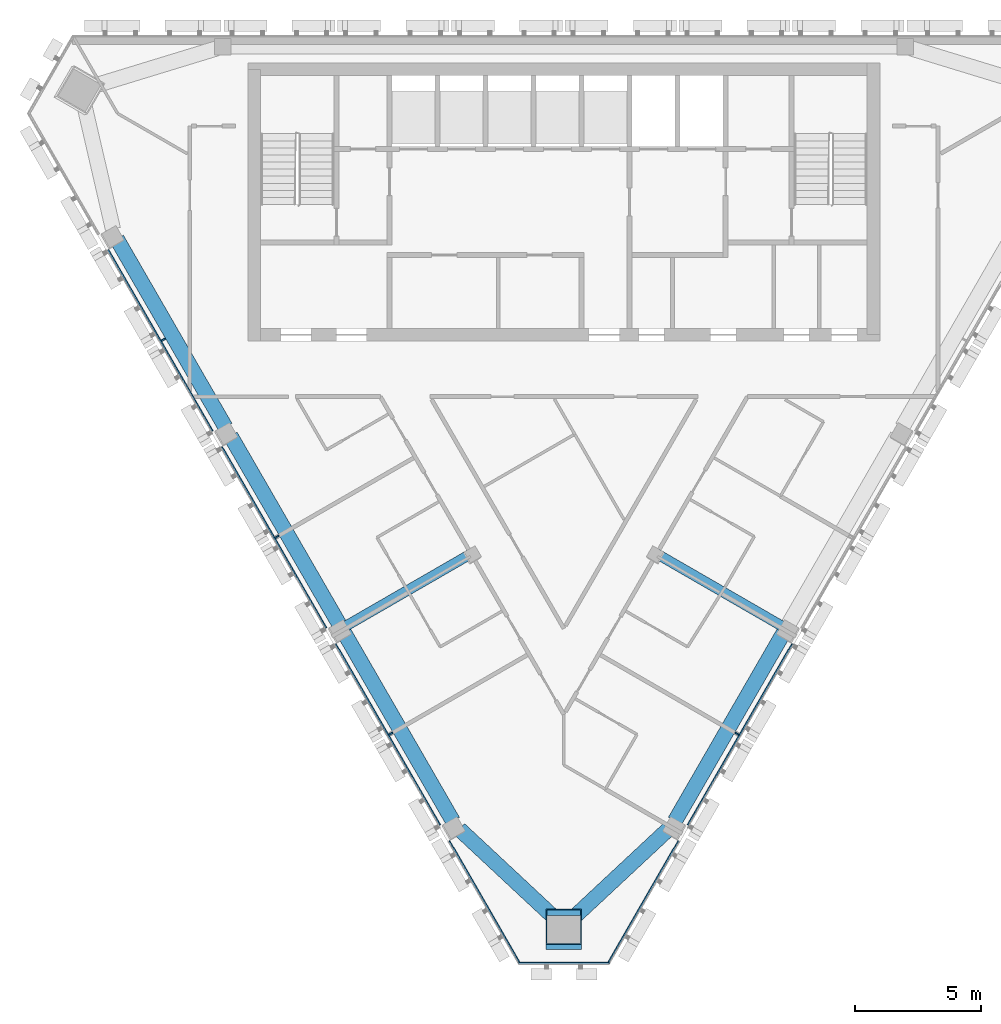
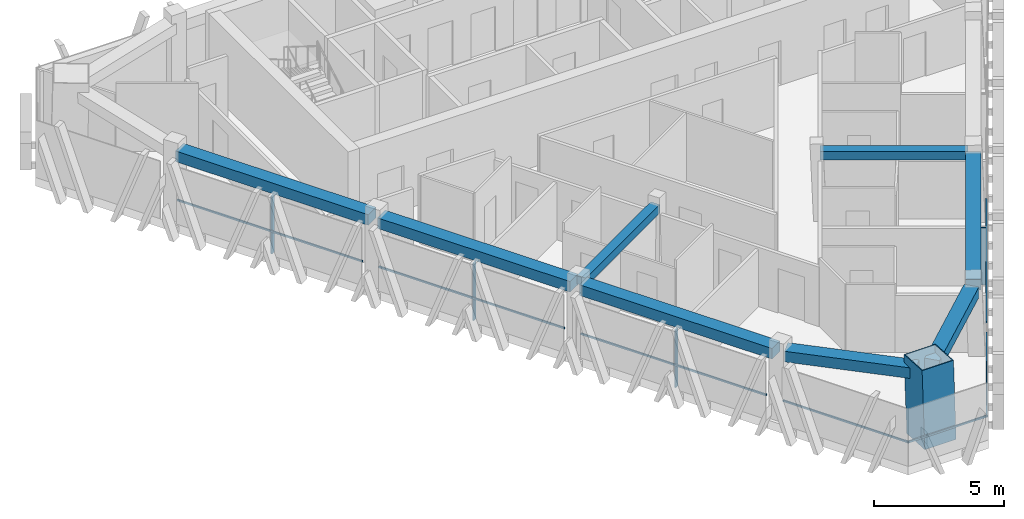
# One storey, part 2 of 11: 12 members, 8 beams, 3 elements without a shape of their own.
"""IFC4 building model written with IfcOpenShell, lengths in metres."""

from ifc_helpers import new_model, si_unit, direction, frame, origin, origin_2d, place, context, subcontext, project, spatial, rectangle, hollow_rectangle, extrude, material, layer, layer_set, material_profile, profile_set, type_object, element, aggregate, save


model = new_model("IFC4")

# Units and contexts
model_context = context("Model", 3, precision=1e-05, world=origin(), true_north=direction((0.0, 1.0)))
body_context = subcontext(model_context, "Body", "Model", "MODEL_VIEW")
ifc_project = project(units=[si_unit("LENGTHUNIT", "METRE"), si_unit("AREAUNIT", "SQUARE_METRE"), si_unit("VOLUMEUNIT", "CUBIC_METRE"), si_unit("PLANEANGLEUNIT", "RADIAN"), si_unit("MASSUNIT", "GRAM", prefix="KILO")], contexts=[model_context])

# Site, building, storey
site_placement = place(None, origin())
site = spatial("IfcSite", under=ifc_project, at=site_placement, CompositionType="ELEMENT")
building_placement = place(site_placement, origin())
building = spatial("IfcBuilding", under=site, at=building_placement, Name="Altiplano Prism Tower", CompositionType="ELEMENT")
storey_placement = place(building_placement, frame((0.0, 0.0, 327.39990234375)))
storey = spatial("IfcBuildingStorey", under=building, at=storey_placement, Name="L85", CompositionType="ELEMENT", Elevation=327.39990234375)

# Curtain wall, members
ifc_material_1 = material(Name="Aluminium and glass", Category="aluminium")
ifc_layer = layer(ifc_material_1, 0.280029296875)
ifc_layer_set = layer_set([ifc_layer], Name="Aluminium and glass")
curtain_wall_type = type_object("IfcCurtainWallType", Name="CW1 typical co-living unitised curtain wall", PredefinedType="NOTDEFINED", material=ifc_layer_set)
curtain_wall_1_placement = place(storey_placement, origin())
curtain_wall_1 = element("IfcCurtainWall", 1, at=curtain_wall_1_placement, inside=storey, type_object=curtain_wall_type, Name="CW1 curtain wall south-west face L85", PredefinedType="NOTDEFINED")
ifc_material_2 = material(Name="Aluminium", Category="aluminium")
ifc_material_profile_1 = material_profile(ifc_material_2, rectangle(XDim=0.179931640625, YDim=0.06494140625, at=origin_2d()), Name="CW1 mullion 65 x 180")
ifc_profile_set_1 = profile_set([ifc_material_profile_1], Name="Aluminium")
member_type_1 = type_object("IfcMemberType", Name="CW1 mullion 65 x 180", PredefinedType="MULLION", material=ifc_profile_set_1)
member_1_placement = place(storey_placement, frame((69.152587890625, 92.9501953125, 0.0), z_axis=(0.0, 0.0, 1.0), x_axis=(0.866025407563, 0.499999993455, 0.0)))
member_1 = element("IfcMember", 2, at=member_1_placement, type_object=member_type_1, Name="CW1 mullion", PredefinedType="MULLION", context=body_context, shape_type="SweptSolid", body=[
    extrude(rectangle(XDim=0.179931640625, YDim=0.06494140625, at=origin_2d()), origin(), (0.0, 0.0, 1.0), 2.7001953125),
])
member_2_placement = place(storey_placement, frame((73.652587890625, 85.156005859375, 0.0), z_axis=(0.0, 0.0, 1.0), x_axis=(0.866025407563, 0.499999993455, 0.0)))
member_2 = element("IfcMember", 3, at=member_2_placement, type_object=member_type_1, Name="CW1 mullion", PredefinedType="MULLION", context=body_context, shape_type="SweptSolid", body=[
    extrude(rectangle(XDim=0.179931640625, YDim=0.06494140625, at=origin_2d()), origin(), (0.0, 0.0, 1.0), 2.7001953125),
])
member_3_placement = place(storey_placement, frame((78.152587890625, 77.361572265625, 0.0), z_axis=(0.0, 0.0, 1.0), x_axis=(0.866025407563, 0.499999993455, 0.0)))
member_3 = element("IfcMember", 4, at=member_3_placement, type_object=member_type_1, Name="CW1 mullion", PredefinedType="MULLION", context=body_context, shape_type="SweptSolid", body=[
    extrude(rectangle(XDim=0.179931640625, YDim=0.06494140625, at=origin_2d()), origin(), (0.0, 0.0, 1.0), 2.7001953125),
])

# Curtain wall, member
curtain_wall_2_placement = place(storey_placement, origin())
curtain_wall_2 = element("IfcCurtainWall", 5, at=curtain_wall_2_placement, inside=storey, type_object=curtain_wall_type, Name="CW1 curtain wall south-east face L85", PredefinedType="NOTDEFINED")
member_4_placement = place(storey_placement, frame((91.847412109375, 77.361572265625, 0.0), z_axis=(0.0, 0.0, 1.0), x_axis=(-0.866025407563, 0.499999993455, 0.0)))
member_4 = element("IfcMember", 6, at=member_4_placement, type_object=member_type_1, Name="CW1 mullion", PredefinedType="MULLION", context=body_context, shape_type="SweptSolid", body=[
    extrude(rectangle(XDim=0.179931640625, YDim=0.06494140625, at=origin_2d()), origin(), (0.0, 0.0, 1.0), 2.7001953125),
])

# Member
ifc_material_profile_2 = material_profile(ifc_material_2, rectangle(XDim=0.06005859375, YDim=0.080078125, at=origin_2d()), Name="CW1 transom 80 x 60")
ifc_profile_set_2 = profile_set([ifc_material_profile_2], Name="Aluminium")
member_type_2 = type_object("IfcMemberType", Name="CW1 transom 80 x 60", PredefinedType="USERDEFINED", material=ifc_profile_set_2)
member_5_placement = place(storey_placement, frame((66.96142578125, 96.50537109375, 1.10009765625), z_axis=(0.50000951748, -0.866019908795, 0.0), x_axis=(0.866019908795, 0.50000951748, 0.0)))
member_5 = element("IfcMember", 7, at=member_5_placement, type_object=member_type_2, Name="CW1 transom", ObjectType="TRANSOM", PredefinedType="USERDEFINED", context=body_context, shape_type="SweptSolid", body=[
    extrude(rectangle(XDim=0.06005859375, YDim=0.080078125, at=origin_2d()), origin(), (0.0, 0.0, 1.0), 8.269775390625),
])

member_6_placement = place(storey_placement, frame((71.46142578125, 88.711181640625, 1.10009765625), z_axis=(0.499996734306, -0.866027289225, 0.0), x_axis=(0.866027289225, 0.499996734306, 0.0)))
member_6 = element("IfcMember", 8, at=member_6_placement, type_object=member_type_2, Name="CW1 transom", ObjectType="TRANSOM", PredefinedType="USERDEFINED", context=body_context, shape_type="SweptSolid", body=[
    extrude(rectangle(XDim=0.06005859375, YDim=0.080078125, at=origin_2d()), origin(), (0.0, 0.0, 1.0), 8.27001953125),
])

member_7_placement = place(storey_placement, frame((75.96142578125, 80.9169921875, 1.10009765625), z_axis=(0.499996734306, -0.866027289225, 0.0), x_axis=(0.866027289225, 0.499996734306, 0.0)))
member_7 = element("IfcMember", 9, at=member_7_placement, type_object=member_type_2, Name="CW1 transom", ObjectType="TRANSOM", PredefinedType="USERDEFINED", context=body_context, shape_type="SweptSolid", body=[
    extrude(rectangle(XDim=0.06005859375, YDim=0.080078125, at=origin_2d()), origin(), (0.0, 0.0, 1.0), 8.27001953125),
])

member_8_placement = place(storey_placement, frame((80.46142578125, 73.12255859375, 1.10009765625), z_axis=(0.500025745965, -0.866010538834, 0.0), x_axis=(0.866010538834, 0.500025745965, 0.0)))
member_8 = element("IfcMember", 10, at=member_8_placement, type_object=member_type_2, Name="CW1 transom", ObjectType="TRANSOM", PredefinedType="USERDEFINED", context=body_context, shape_type="SweptSolid", body=[
    extrude(rectangle(XDim=0.06005859375, YDim=0.080078125, at=origin_2d()), origin(), (0.0, 0.0, 1.0), 5.620849609375),
])

aggregate(curtain_wall_1, [member_1, member_5, member_2, member_6, member_3, member_7, member_8])

# Curtain wall, member
curtain_wall_3_placement = place(storey_placement, origin())
curtain_wall_3 = element("IfcCurtainWall", 11, at=curtain_wall_3_placement, inside=storey, type_object=curtain_wall_type, Name="CW1 curtain wall south chamfer L85", PredefinedType="NOTDEFINED")
member_9_placement = place(storey_placement, frame((83.21142578125, 68.289794921875, 1.10009765625), z_axis=(1.0, 0.0, 0.0), x_axis=(0.0, 1.0, 0.0)))
member_9 = element("IfcMember", 12, at=member_9_placement, type_object=member_type_2, Name="CW1 transom", ObjectType="TRANSOM", PredefinedType="USERDEFINED", context=body_context, shape_type="SweptSolid", body=[
    extrude(rectangle(XDim=0.06005859375, YDim=0.080078125, at=origin_2d()), origin(), (0.0, 0.0, 1.0), 3.5771484375),
])
aggregate(curtain_wall_3, [member_9])

# Member
member_10_placement = place(storey_placement, frame((86.72802734375, 68.2548828125, 1.10009765625), z_axis=(0.500025745965, 0.866010538834, 0.0), x_axis=(-0.866010538834, 0.500025745965, 0.0)))
member_10 = element("IfcMember", 13, at=member_10_placement, type_object=member_type_2, Name="CW1 transom", ObjectType="TRANSOM", PredefinedType="USERDEFINED", context=body_context, shape_type="SweptSolid", body=[
    extrude(rectangle(XDim=0.06005859375, YDim=0.080078125, at=origin_2d()), origin(), (0.0, 0.0, 1.0), 5.620849609375),
])

member_11_placement = place(storey_placement, frame((89.903564453125, 73.7548828125, 1.10009765625), z_axis=(0.499996734306, 0.866027289225, 0.0), x_axis=(-0.866027289225, 0.499996734306, 0.0)))
member_11 = element("IfcMember", 14, at=member_11_placement, type_object=member_type_2, Name="CW1 transom", ObjectType="TRANSOM", PredefinedType="USERDEFINED", context=body_context, shape_type="SweptSolid", body=[
    extrude(rectangle(XDim=0.06005859375, YDim=0.080078125, at=origin_2d()), origin(), (0.0, 0.0, 1.0), 8.27001953125),
])

aggregate(curtain_wall_2, [member_10, member_4, member_11])

# Beams
ifc_material_3 = material(Name="Concrete C60/75", Category="concrete")
ifc_material_profile_3 = material_profile(ifc_material_3, rectangle(XDim=0.60009765625, YDim=0.5, at=origin_2d()), Name="Edge beam 600x500")
ifc_profile_set_3 = profile_set([ifc_material_profile_3], Name="Concrete C60/75")
beam_type_1 = type_object("IfcBeamType", Name="Edge beam 600x500", PredefinedType="SPANDREL", material=ifc_profile_set_3)
for number, where, z_axis, x_axis, name in (
    (15, (67.310302734375, 96.938232421875, 2.9501953125), (0.500011935685, -0.866018512604, 0.0), (0.866018512604, 0.500011935685, 0.0), "Edge beam P11-P12 L86"),
    (16, (71.810302734375, 89.14404296875, 2.9501953125), (0.500011935685, -0.866018512604, 0.0), (0.866018512604, 0.500011935685, 0.0), "Edge beam P12-P13 L86"),
    (17, (76.310302734375, 81.349853515625, 2.9501953125), (0.500011935685, -0.866018512604, 0.0), (0.866018512604, 0.500011935685, 0.0), "Edge beam P13-P14 L86"),
):
    element("IfcBeam", number, at=place(storey_placement, frame(where, z_axis=z_axis, x_axis=x_axis)), inside=storey, type_object=beam_type_1, Name=name, PredefinedType="SPANDREL", context=body_context, shape_type="SweptSolid", body=[
        extrude(rectangle(XDim=0.60009765625, YDim=0.5, at=origin_2d()), origin(), (0.0, 0.0, 1.0), 8.590087890625),
    ])
for number, where, z_axis, x_axis, name in (
    (18, (80.86865234375, 73.583251953125, 2.9501953125), (0.731306622022, -0.682048843256, 0.0), (0.682048843256, 0.731306622022, 0.0), "Edge beam P14-M1 L86"),
    (19, (85.3291015625, 70.037109375, 2.9501953125), (0.731306622022, 0.682048843256, 0.0), (-0.682048843256, 0.731306622022, 0.0), "Edge beam M1-P21 L86"),
):
    element("IfcBeam", number, at=place(storey_placement, frame(where, z_axis=z_axis, x_axis=x_axis)), inside=storey, type_object=beam_type_1, Name=name, PredefinedType="SPANDREL", context=body_context, shape_type="SweptSolid", body=[
        extrude(rectangle(XDim=0.60009765625, YDim=0.5, at=origin_2d()), origin(), (0.0, 0.0, 1.0), 5.19921875),
    ])
beam_placement = place(storey_placement, frame((89.39453125, 73.91064453125, 2.9501953125), z_axis=(0.500011935685, 0.866018512604, 0.0), x_axis=(-0.866018512604, 0.500011935685, 0.0)))
element("IfcBeam", 20, at=beam_placement, inside=storey, type_object=beam_type_1, Name="Edge beam P21-P22 L86", PredefinedType="SPANDREL", context=body_context, shape_type="SweptSolid", body=[
    extrude(rectangle(XDim=0.60009765625, YDim=0.5, at=origin_2d()), origin(), (0.0, 0.0, 1.0), 8.590087890625),
])

# Member
ifc_material_4 = material(Name="Steel S460", Category="steel")
ifc_material_profile_4 = material_profile(ifc_material_4, hollow_rectangle(XDim=1.39990234375, YDim=1.39990234375, WallThickness=0.0400390625, at=origin_2d()), Name="Mega column tube 1400")
ifc_profile_set_4 = profile_set([ifc_material_profile_4], Name="Steel S460")
member_type_3 = type_object("IfcMemberType", Name="Mega column tube 1400", PredefinedType="POST", material=ifc_profile_set_4)
member_12_placement = place(storey_placement, frame((85.0, 69.519775390625, 0.0), z_axis=(0.0, 0.058356907999, 0.998295783467), x_axis=(-1.0, 0.0, 0.0)))
element("IfcMember", 21, at=member_12_placement, inside=storey, type_object=member_type_3, Name="Mega column tube M1 L85", PredefinedType="POST", context=body_context, shape_type="SweptSolid", body=[
    extrude(hollow_rectangle(XDim=1.39990234375, YDim=1.39990234375, WallThickness=0.0400390625, at=origin_2d()), origin(), (0.0, 0.0, 1.0), 3.606201171875),
])

# Beams
ifc_material_profile_5 = material_profile(ifc_material_3, rectangle(XDim=0.39990234375, YDim=0.39990234375, at=origin_2d()), Name="Tie beam 400x400")
ifc_profile_set_5 = profile_set([ifc_material_profile_5], Name="Concrete C60/75")
beam_type_2 = type_object("IfcBeamType", Name="Tie beam 400x400", PredefinedType="BEAM", material=ifc_profile_set_5)
for number, where, z_axis, x_axis, name in (
    (22, (81.334716796875, 84.4873046875, 3.0), (-0.866026229868, -0.499998569178, 0.0), (0.499998569178, -0.866026229868, 0.0), "Tie beam I13 L86"),
    (23, (88.665283203125, 84.4873046875, 3.0), (0.866026229868, -0.499998569178, 0.0), (0.499998569178, 0.866026229868, 0.0), "Tie beam I22 L86"),
):
    element("IfcBeam", number, at=place(storey_placement, frame(where, z_axis=z_axis, x_axis=x_axis)), inside=storey, type_object=beam_type_2, Name=name, PredefinedType="BEAM", context=body_context, shape_type="SweptSolid", body=[
        extrude(rectangle(XDim=0.39990234375, YDim=0.39990234375, at=origin_2d()), origin(), (0.0, 0.0, 1.0), 5.71484375),
    ])

save(model, "model.ifc")
